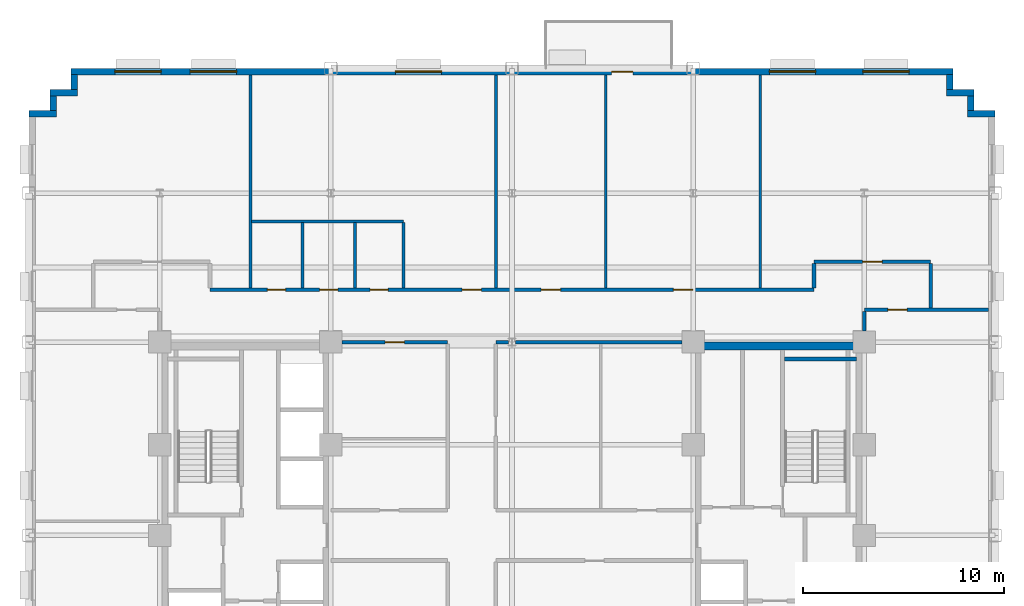
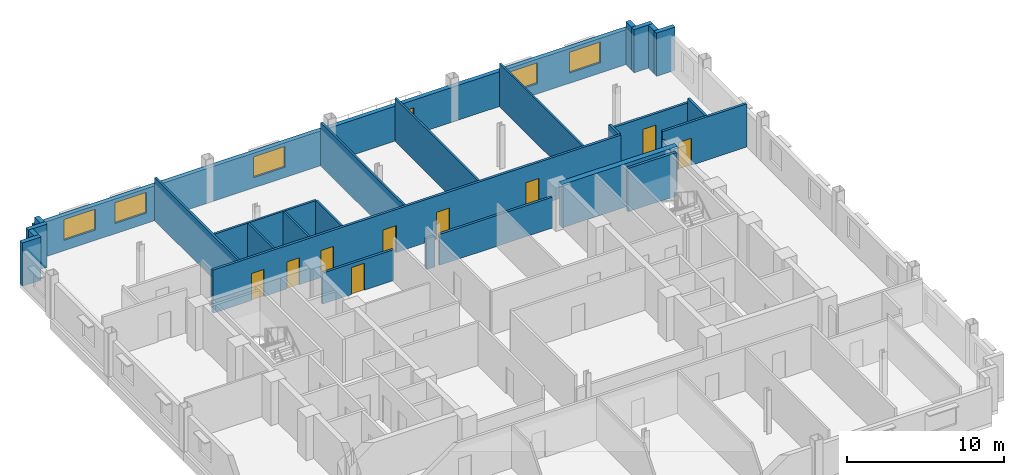
# One storey, part 9 of 14: 28 walls, 10 doors, 5 windows, 15 openings.
"""IFC4 building model written with IfcOpenShell, lengths in metres."""

from ifc_helpers import new_model, si_unit, direction, frame, frame_2d, origin, place, context, subcontext, project, spatial, rectangle, extrude, source, transform, mapped, material, layer, layer_set, type_object, type_shapes, element, fill, save


model = new_model("IFC4")

# Units and contexts
model_context = context("Model", 3, precision=1e-05, world=origin(), true_north=direction((0.0, 1.0)))
body_context = subcontext(model_context, "Body", "Model", "MODEL_VIEW")
ifc_project = project(units=[si_unit("LENGTHUNIT", "METRE"), si_unit("AREAUNIT", "SQUARE_METRE"), si_unit("VOLUMEUNIT", "CUBIC_METRE"), si_unit("PLANEANGLEUNIT", "RADIAN"), si_unit("MASSUNIT", "GRAM", prefix="KILO")], contexts=[model_context])

# Site, building, storey
site_placement = place(None, origin())
site = spatial("IfcSite", under=ifc_project, at=site_placement, CompositionType="ELEMENT")
building_placement = place(site_placement, origin())
building = spatial("IfcBuilding", under=site, at=building_placement, Name="Nuvemarco Arch Tower", CompositionType="ELEMENT")
storey_placement = place(building_placement, frame((0.0, 0.0, 105.60009765625)))
storey = spatial("IfcBuildingStorey", under=building, at=storey_placement, Name="L27", CompositionType="ELEMENT", Elevation=105.60009765625)

# Walls
ifc_material_1 = material(Name="Precast concrete C45/55", Category="concrete")
ifc_layer_1 = layer(ifc_material_1, 0.320068359375, Name="EW-MID-320")
ifc_layer_set_1 = layer_set([ifc_layer_1], Name="Precast concrete C45/55")
wall_type_1 = type_object("IfcWallType", Name="EW-MID-320", PredefinedType="STANDARD", material=ifc_layer_set_1)
wall_1_placement = place(storey_placement, frame((22.6298828125, 20.93994140625, 0.0), z_axis=(0.0, 0.0, 1.0), x_axis=(1.0, 0.0, 0.0)))
element("IfcWall", 1, at=wall_1_placement, inside=storey, type_object=wall_type_1, Name="L27 exterior precast facade wall 7", PredefinedType="STANDARD", context=body_context, shape_type="SweptSolid", body=[
    extrude(rectangle(XDim=1.3701171875, YDim=0.320068359375, at=frame_2d((0.68505859375, 0.0))), origin(), (0.0, 0.0, 1.0), 3.35986328125),
])
wall_2_placement = place(storey_placement, frame((22.7900390625, 21.095947265625, 0.0), z_axis=(0.0, 0.0, 1.0), x_axis=(0.0, 1.0, 0.0)))
element("IfcWall", 2, at=wall_2_placement, inside=storey, type_object=wall_type_1, Name="L27 exterior precast facade wall 8", PredefinedType="STANDARD", context=body_context, shape_type="SweptSolid", body=[
    extrude(rectangle(XDim=0.738037109375, YDim=0.320068359375, at=frame_2d((0.369140625, 0.0))), origin(), (0.0, 0.0, 1.0), 3.35986328125),
])
wall_3_placement = place(storey_placement, frame((21.580078125, 21.989990234375, 0.0), z_axis=(0.0, 0.0, 1.0), x_axis=(1.0, 0.0, 0.0)))
element("IfcWall", 3, at=wall_3_placement, inside=storey, type_object=wall_type_1, Name="L27 exterior precast facade wall 9", PredefinedType="STANDARD", context=body_context, shape_type="SweptSolid", body=[
    extrude(rectangle(XDim=1.369873046875, YDim=0.320068359375, at=frame_2d((0.68505859375, 0.0))), origin(), (0.0, 0.0, 1.0), 3.35986328125),
])
wall_4_placement = place(storey_placement, frame((21.739990234375, 22.14599609375, 0.0), z_axis=(0.0, 0.0, 1.0), x_axis=(0.0, 1.0, 0.0)))
element("IfcWall", 4, at=wall_4_placement, inside=storey, type_object=wall_type_1, Name="L27 exterior precast facade wall 10", PredefinedType="STANDARD", context=body_context, shape_type="SweptSolid", body=[
    extrude(rectangle(XDim=0.738037109375, YDim=0.320068359375, at=frame_2d((0.369140625, 0.0))), origin(), (0.0, 0.0, 1.0), 3.35986328125),
])

# Wall, openings, door, windows
wall_5_placement = place(storey_placement, frame((-21.89990234375, 23.0400390625, 0.0), z_axis=(0.0, 0.0, 1.0), x_axis=(1.0, 0.0, 0.0)))
wall_5 = element("IfcWall", 5, at=wall_5_placement, inside=storey, type_object=wall_type_1, Name="L27 exterior precast facade wall 11", PredefinedType="STANDARD", context=body_context, shape_type="SweptSolid", body=[
    extrude(rectangle(XDim=43.7998046875, YDim=0.320068359375, at=frame_2d((21.89990234375, 0.0))), origin(), (0.0, 0.0, 1.0), 2.704833984375),
])
opening_1_placement = place(wall_5_placement, frame((26.85009765625, 0.0, 0.0)))
opening_1 = element("IfcOpeningElement", 6, at=opening_1_placement, cuts=wall_5, Name="Opening ED-5", PredefinedType="OPENING", context=body_context, shape_type="SweptSolid", body=[
    extrude(rectangle(XDim=1.050048828125, YDim=2.10009765625, at=frame_2d((0.52490234375, 1.050048828125))), frame((0.0, 0.169921875, 0.0), z_axis=(0.0, -1.0, 0.0), x_axis=(1.0, 0.0, 0.0)), (0.0, 0.0, 1.0), 0.340087890625),
])
opening_2_placement = place(wall_5_placement, frame((2.172119140625, 0.0, 0.800048828125)))
opening_2 = element("IfcOpeningElement", 7, at=opening_2_placement, cuts=wall_5, Name="Opening WN-10", PredefinedType="OPENING", context=body_context, shape_type="SweptSolid", body=[
    extrude(rectangle(XDim=2.300048828125, YDim=1.6201171875, at=frame_2d((1.14990234375, 0.81005859375))), frame((0.0, 0.169921875, 0.0), z_axis=(0.0, -1.0, 0.0), x_axis=(1.0, 0.0, 0.0)), (0.0, 0.0, 1.0), 0.340087890625),
])
opening_3_placement = place(wall_5_placement, frame((5.916748046875, 0.0, 0.800048828125)))
opening_3 = element("IfcOpeningElement", 8, at=opening_3_placement, cuts=wall_5, Name="Opening WN-10", PredefinedType="OPENING", context=body_context, shape_type="SweptSolid", body=[
    extrude(rectangle(XDim=2.300048828125, YDim=1.6201171875, at=frame_2d((1.14990234375, 0.81005859375))), frame((0.0, 0.169921875, 0.0), z_axis=(0.0, -1.0, 0.0), x_axis=(1.0, 0.0, 0.0)), (0.0, 0.0, 1.0), 0.340087890625),
])
opening_4_placement = place(wall_5_placement, frame((16.105712890625, 0.0, 0.800048828125)))
opening_4 = element("IfcOpeningElement", 9, at=opening_4_placement, cuts=wall_5, Name="Opening WN-10", PredefinedType="OPENING", context=body_context, shape_type="SweptSolid", body=[
    extrude(rectangle(XDim=2.300048828125, YDim=1.6201171875, at=frame_2d((1.14990234375, 0.81005859375))), frame((0.0, 0.169921875, 0.0), z_axis=(0.0, -1.0, 0.0), x_axis=(1.0, 0.0, 0.0)), (0.0, 0.0, 1.0), 0.340087890625),
])
opening_5_placement = place(wall_5_placement, frame((34.683349609375, 0.0, 0.800048828125)))
opening_5 = element("IfcOpeningElement", 10, at=opening_5_placement, cuts=wall_5, Name="Opening WN-10", PredefinedType="OPENING", context=body_context, shape_type="SweptSolid", body=[
    extrude(rectangle(XDim=2.300048828125, YDim=1.6201171875, at=frame_2d((1.14990234375, 0.81005859375))), frame((0.0, 0.169921875, 0.0), z_axis=(0.0, -1.0, 0.0), x_axis=(1.0, 0.0, 0.0)), (0.0, 0.0, 1.0), 0.340087890625),
])
opening_6_placement = place(wall_5_placement, frame((39.327880859375, 0.0, 0.800048828125)))
opening_6 = element("IfcOpeningElement", 11, at=opening_6_placement, cuts=wall_5, Name="Opening WN-10", PredefinedType="OPENING", context=body_context, shape_type="SweptSolid", body=[
    extrude(rectangle(XDim=2.300048828125, YDim=1.6201171875, at=frame_2d((1.14990234375, 0.81005859375))), frame((0.0, 0.169921875, 0.0), z_axis=(0.0, -1.0, 0.0), x_axis=(1.0, 0.0, 0.0)), (0.0, 0.0, 1.0), 0.340087890625),
])
ifc_material_2 = material(Name="Anodised bronze and laminated glass", Category="glass")
door_type_1 = type_object("IfcDoorType", Name="DR-EXT-TERR", OperationType="NOTDEFINED", PredefinedType="DOOR", material=ifc_material_2)
shared_shape_1 = source(origin(), body_context, "Body", "SweptSolid", [
    extrude(rectangle(XDim=1.050048828125, YDim=2.10009765625, at=frame_2d((0.52490234375, 1.050048828125))), frame((0.0, 0.02490234375, 0.0), z_axis=(0.0, -1.0, 0.0), x_axis=(1.0, 0.0, 0.0)), (0.0, 0.0, 1.0), 0.050048828125),
])
type_shapes(door_type_1, [shared_shape_1])
door_1_placement = place(opening_1_placement, origin())
door_1 = element("IfcDoor", 12, at=door_1_placement, inside=storey, type_object=door_type_1, Name="L27 spiral terrace access door", OperationType="SINGLE_SWING_LEFT", OverallHeight=2.10009765625, OverallWidth=1.050048828125, PredefinedType="DOOR", context=body_context, shape_type="MappedRepresentation", body=[
    mapped(shared_shape_1, transform((0.0, 0.0, 0.0), scale=1.0)),
])
fill(opening_1, door_1)
ifc_material_3 = material(Name="Insulated solar-control glass", Category="glass")
window_type = type_object("IfcWindowType", Name="WN-STEP-2300x1700", PartitioningType="DOUBLE_PANEL_VERTICAL", PredefinedType="WINDOW", material=ifc_material_3)
shared_shape_2 = source(origin(), body_context, "Body", "SweptSolid", [
    extrude(rectangle(XDim=2.300048828125, YDim=1.6201171875, at=frame_2d((1.14990234375, 0.81005859375))), frame((0.0, 0.030029296875, 0.0), z_axis=(0.0, -1.0, 0.0), x_axis=(1.0, 0.0, 0.0)), (0.0, 0.0, 1.0), 0.06005859375),
])
type_shapes(window_type, [shared_shape_2])
window_1_placement = place(opening_2_placement, origin())
window_1 = element("IfcWindow", 13, at=window_1_placement, inside=storey, type_object=window_type, Name="L27 punched facade window 1", OverallHeight=1.6201171875, OverallWidth=2.300048828125, PartitioningType="SINGLE_PANEL", PredefinedType="WINDOW", context=body_context, shape_type="MappedRepresentation", body=[
    mapped(shared_shape_2, transform((0.0, 0.0, 0.0), scale=1.0)),
])
fill(opening_2, window_1)
window_2_placement = place(opening_3_placement, origin())
window_2 = element("IfcWindow", 14, at=window_2_placement, inside=storey, type_object=window_type, Name="L27 punched facade window 2", OverallHeight=1.6201171875, OverallWidth=2.300048828125, PartitioningType="SINGLE_PANEL", PredefinedType="WINDOW", context=body_context, shape_type="MappedRepresentation", body=[
    mapped(shared_shape_2, transform((0.0, 0.0, 0.0), scale=1.0)),
])
fill(opening_3, window_2)
window_3_placement = place(opening_4_placement, origin())
window_3 = element("IfcWindow", 15, at=window_3_placement, inside=storey, type_object=window_type, Name="L27 punched facade window 4", OverallHeight=1.6201171875, OverallWidth=2.300048828125, PartitioningType="SINGLE_PANEL", PredefinedType="WINDOW", context=body_context, shape_type="MappedRepresentation", body=[
    mapped(shared_shape_2, transform((0.0, 0.0, 0.0), scale=1.0)),
])
fill(opening_4, window_3)
window_4_placement = place(opening_5_placement, origin())
window_4 = element("IfcWindow", 16, at=window_4_placement, inside=storey, type_object=window_type, Name="L27 punched facade window 8", OverallHeight=1.6201171875, OverallWidth=2.300048828125, PartitioningType="SINGLE_PANEL", PredefinedType="WINDOW", context=body_context, shape_type="MappedRepresentation", body=[
    mapped(shared_shape_2, transform((0.0, 0.0, 0.0), scale=1.0)),
])
fill(opening_5, window_4)
window_5_placement = place(opening_6_placement, origin())
window_5 = element("IfcWindow", 17, at=window_5_placement, inside=storey, type_object=window_type, Name="L27 punched facade window 9", OverallHeight=1.6201171875, OverallWidth=2.300048828125, PartitioningType="SINGLE_PANEL", PredefinedType="WINDOW", context=body_context, shape_type="MappedRepresentation", body=[
    mapped(shared_shape_2, transform((0.0, 0.0, 0.0), scale=1.0)),
])
fill(opening_6, window_5)

# Walls
wall_6_placement = place(storey_placement, frame((-21.739990234375, 22.14599609375, 0.0), z_axis=(0.0, 0.0, 1.0), x_axis=(0.0, 1.0, 0.0)))
element("IfcWall", 18, at=wall_6_placement, inside=storey, type_object=wall_type_1, Name="L27 exterior precast facade wall 12", PredefinedType="STANDARD", context=body_context, shape_type="SweptSolid", body=[
    extrude(rectangle(XDim=0.738037109375, YDim=0.320068359375, at=frame_2d((0.369140625, 0.0))), origin(), (0.0, 0.0, 1.0), 3.35986328125),
])
wall_7_placement = place(storey_placement, frame((-22.949951171875, 21.989990234375, 0.0), z_axis=(0.0, 0.0, 1.0), x_axis=(1.0, 0.0, 0.0)))
element("IfcWall", 19, at=wall_7_placement, inside=storey, type_object=wall_type_1, Name="L27 exterior precast facade wall 13", PredefinedType="STANDARD", context=body_context, shape_type="SweptSolid", body=[
    extrude(rectangle(XDim=1.369873046875, YDim=0.320068359375, at=frame_2d((0.68505859375, 0.0))), origin(), (0.0, 0.0, 1.0), 3.35986328125),
])
wall_8_placement = place(storey_placement, frame((-22.7900390625, 21.095947265625, 0.0), z_axis=(0.0, 0.0, 1.0), x_axis=(0.0, 1.0, 0.0)))
element("IfcWall", 20, at=wall_8_placement, inside=storey, type_object=wall_type_1, Name="L27 exterior precast facade wall 14", PredefinedType="STANDARD", context=body_context, shape_type="SweptSolid", body=[
    extrude(rectangle(XDim=0.738037109375, YDim=0.320068359375, at=frame_2d((0.369140625, 0.0))), origin(), (0.0, 0.0, 1.0), 3.35986328125),
])
wall_9_placement = place(storey_placement, frame((-24.0, 20.93994140625, 0.0), z_axis=(0.0, 0.0, 1.0), x_axis=(1.0, 0.0, 0.0)))
element("IfcWall", 21, at=wall_9_placement, inside=storey, type_object=wall_type_1, Name="L27 exterior precast facade wall 15", PredefinedType="STANDARD", context=body_context, shape_type="SweptSolid", body=[
    extrude(rectangle(XDim=1.3701171875, YDim=0.320068359375, at=frame_2d((0.68505859375, 0.0))), origin(), (0.0, 0.0, 1.0), 3.35986328125),
])
ifc_material_4 = material(Name="Concrete C60/75", Category="concrete")
ifc_layer_2 = layer(ifc_material_4, 0.39990234375, Name="WL-CORE-400")
ifc_layer_set_2 = layer_set([ifc_layer_2], Name="Concrete C60/75")
wall_type_2 = type_object("IfcWallType", Name="WL-CORE-400", PredefinedType="SHEAR", material=ifc_layer_set_2)
wall_10_placement = place(storey_placement, frame((9.0, 9.39990234375, 0.0), z_axis=(0.0, 0.0, 1.0), x_axis=(1.0, 0.0, 0.0)))
element("IfcWall", 22, at=wall_10_placement, inside=storey, type_object=wall_type_2, Name="L27 E-core shear wall N", PredefinedType="SHEAR", context=body_context, shape_type="SweptSolid", body=[
    extrude(rectangle(XDim=8.5, YDim=0.39990234375, at=frame_2d((4.25, 0.0))), origin(), (0.0, 0.0, 1.0), 3.369873046875),
])

# Wall, opening, door
ifc_material_5 = material(Name="Fire-rated gypsum drywall partition")
ifc_layer_3 = layer(ifc_material_5, 0.179931640625, Name="WL-CORR-180")
ifc_layer_set_3 = layer_set([ifc_layer_3], Name="Fire-rated gypsum drywall partition")
wall_type_3 = type_object("IfcWallType", Name="WL-CORR-180", PredefinedType="PARTITIONING", material=ifc_layer_set_3)
wall_11_placement = place(storey_placement, frame((-8.4541015625, 9.60009765625, 0.0), z_axis=(0.0, 0.0, 1.0), x_axis=(1.0, 0.0, 0.0)))
wall_11 = element("IfcWall", 23, at=wall_11_placement, inside=storey, type_object=wall_type_3, Name="L27 interior wall IW-L27-015", PredefinedType="PARTITIONING", context=body_context, shape_type="SweptSolid", body=[
    extrude(rectangle(XDim=5.254150390625, YDim=0.179931640625, at=frame_2d((2.626953125, 0.0))), origin(), (0.0, 0.0, 1.0), 2.40478515625),
])
opening_7_placement = place(wall_11_placement, frame((2.14697265625, 0.0, 0.0)))
opening_7 = element("IfcOpeningElement", 24, at=opening_7_placement, cuts=wall_11, Name="Opening FD-5", PredefinedType="OPENING", context=body_context, shape_type="SweptSolid", body=[
    extrude(rectangle(XDim=0.9599609375, YDim=2.10009765625, at=frame_2d((0.47998046875, 1.050048828125))), frame((0.0, 0.099853515625, 0.0), z_axis=(0.0, -1.0, 0.0), x_axis=(1.0, 0.0, 0.0)), (0.0, 0.0, 1.0), 0.199951171875),
])
ifc_material_6 = material(Name="Timber fire door", Category="wood")
door_type_2 = type_object("IfcDoorType", Name="DR-CORR-FD", OperationType="NOTDEFINED", PredefinedType="DOOR", material=ifc_material_6)
shared_shape_3 = source(origin(), body_context, "Body", "SweptSolid", [
    extrude(rectangle(XDim=0.9599609375, YDim=2.10009765625, at=frame_2d((0.47998046875, 1.050048828125))), frame((0.0, 0.02490234375, 0.0), z_axis=(0.0, -1.0, 0.0), x_axis=(1.0, 0.0, 0.0)), (0.0, 0.0, 1.0), 0.050048828125),
])
type_shapes(door_type_2, [shared_shape_3])
door_2_placement = place(opening_7_placement, origin())
door_2 = element("IfcDoor", 25, at=door_2_placement, inside=storey, type_object=door_type_2, Name="L27 door DR-L27-C_NW2", OperationType="SINGLE_SWING_RIGHT", OverallHeight=2.10009765625, OverallWidth=0.9599609375, PredefinedType="DOOR", context=body_context, shape_type="MappedRepresentation", body=[
    mapped(shared_shape_3, transform((0.0, 0.0, 0.0), scale=1.0)),
])
fill(opening_7, door_2)

# Walls
wall_12_placement = place(storey_placement, frame((-0.800048828125, 9.60009765625, 0.0), z_axis=(0.0, 0.0, 1.0), x_axis=(1.0, 0.0, 0.0)))
element("IfcWall", 26, at=wall_12_placement, inside=storey, type_object=wall_type_3, Name="L27 interior wall IW-L27-016", PredefinedType="PARTITIONING", context=body_context, shape_type="SweptSolid", body=[
    extrude(rectangle(XDim=0.6240234375, YDim=0.179931640625, at=frame_2d((0.31201171875, 0.0))), origin(), (0.0, 0.0, 1.0), 2.40478515625),
])
wall_13_placement = place(storey_placement, frame((0.176025390625, 9.60009765625, 0.0), z_axis=(0.0, 0.0, 1.0), x_axis=(1.0, 0.0, 0.0)))
element("IfcWall", 27, at=wall_13_placement, inside=storey, type_object=wall_type_3, Name="L27 interior wall IW-L27-017", PredefinedType="PARTITIONING", context=body_context, shape_type="SweptSolid", body=[
    extrude(rectangle(XDim=8.278076171875, YDim=0.179931640625, at=frame_2d((4.13916015625, 0.0))), origin(), (0.0, 0.0, 1.0), 2.40478515625),
])

# Wall, opening, door
wall_14_placement = place(storey_placement, frame((17.5, 11.199951171875, 0.0), z_axis=(0.0, 0.0, 1.0), x_axis=(1.0, 0.0, 0.0)))
wall_14 = element("IfcWall", 28, at=wall_14_placement, inside=storey, type_object=wall_type_3, Name="L27 interior wall IW-L27-019", PredefinedType="PARTITIONING", context=body_context, shape_type="SweptSolid", body=[
    extrude(rectangle(XDim=6.179931640625, YDim=0.179931640625, at=frame_2d((3.08984375, 0.0))), origin(), (0.0, 0.0, 1.0), 3.35986328125),
])
opening_8_placement = place(wall_14_placement, frame((1.169921875, 0.0, 0.0)))
opening_8 = element("IfcOpeningElement", 29, at=opening_8_placement, cuts=wall_14, Name="Opening FD-5", PredefinedType="OPENING", context=body_context, shape_type="SweptSolid", body=[
    extrude(rectangle(XDim=0.9599609375, YDim=2.10009765625, at=frame_2d((0.47998046875, 1.050048828125))), frame((0.0, 0.099853515625, 0.0), z_axis=(0.0, -1.0, 0.0), x_axis=(1.0, 0.0, 0.0)), (0.0, 0.0, 1.0), 0.199951171875),
])
door_3_placement = place(opening_8_placement, origin())
door_3 = element("IfcDoor", 30, at=door_3_placement, inside=storey, type_object=door_type_2, Name="L27 door DR-L27-E_1", OperationType="SINGLE_SWING_LEFT", OverallHeight=2.10009765625, OverallWidth=0.9599609375, PredefinedType="DOOR", context=body_context, shape_type="MappedRepresentation", body=[
    mapped(shared_shape_3, transform((0.0, 0.0, 0.0), scale=1.0)),
])
fill(opening_8, door_3)

# Wall, openings, doors
wall_15_placement = place(storey_placement, frame((-15.0, 12.199951171875, 0.0), z_axis=(0.0, 0.0, 1.0), x_axis=(1.0, 0.0, 0.0)))
wall_15 = element("IfcWall", 31, at=wall_15_placement, inside=storey, type_object=wall_type_3, Name="L27 interior wall IW-L27-020", PredefinedType="PARTITIONING", context=body_context, shape_type="SweptSolid", body=[
    extrude(rectangle(XDim=30.0, YDim=0.179931640625, at=frame_2d((15.0, 0.0))), origin(), (0.0, 0.0, 1.0), 3.35986328125),
])
opening_9_placement = place(wall_15_placement, frame((23.02001953125, 0.0, 0.0)))
opening_9 = element("IfcOpeningElement", 32, at=opening_9_placement, cuts=wall_15, Name="Opening FD-5", PredefinedType="OPENING", context=body_context, shape_type="SweptSolid", body=[
    extrude(rectangle(XDim=0.9599609375, YDim=2.10009765625, at=frame_2d((0.47998046875, 1.050048828125))), frame((0.0, 0.099853515625, 0.0), z_axis=(0.0, -1.0, 0.0), x_axis=(1.0, 0.0, 0.0)), (0.0, 0.0, 1.0), 0.199951171875),
])
opening_10_placement = place(wall_15_placement, frame((16.449951171875, 0.0, 0.0)))
opening_10 = element("IfcOpeningElement", 33, at=opening_10_placement, cuts=wall_15, Name="Opening FD-5", PredefinedType="OPENING", context=body_context, shape_type="SweptSolid", body=[
    extrude(rectangle(XDim=0.9599609375, YDim=2.10009765625, at=frame_2d((0.47998046875, 1.050048828125))), frame((0.0, 0.099853515625, 0.0), z_axis=(0.0, -1.0, 0.0), x_axis=(1.0, 0.0, 0.0)), (0.0, 0.0, 1.0), 0.199951171875),
])
opening_11_placement = place(wall_15_placement, frame((5.449951171875, 0.0, 0.0)))
opening_11 = element("IfcOpeningElement", 34, at=opening_11_placement, cuts=wall_15, Name="Opening ID-3", PredefinedType="OPENING", context=body_context, shape_type="SweptSolid", body=[
    extrude(rectangle(XDim=0.89990234375, YDim=2.10009765625, at=frame_2d((0.449951171875, 1.050048828125))), frame((0.0, 0.099853515625, 0.0), z_axis=(0.0, -1.0, 0.0), x_axis=(1.0, 0.0, 0.0)), (0.0, 0.0, 1.0), 0.199951171875),
])
opening_12_placement = place(wall_15_placement, frame((2.85009765625, 0.0, 0.0)))
opening_12 = element("IfcOpeningElement", 35, at=opening_12_placement, cuts=wall_15, Name="Opening ID-3", PredefinedType="OPENING", context=body_context, shape_type="SweptSolid", body=[
    extrude(rectangle(XDim=0.89990234375, YDim=2.10009765625, at=frame_2d((0.449951171875, 1.050048828125))), frame((0.0, 0.099853515625, 0.0), z_axis=(0.0, -1.0, 0.0), x_axis=(1.0, 0.0, 0.0)), (0.0, 0.0, 1.0), 0.199951171875),
])
opening_13_placement = place(wall_15_placement, frame((12.52001953125, 0.0, 0.0)))
opening_13 = element("IfcOpeningElement", 36, at=opening_13_placement, cuts=wall_15, Name="Opening FD-5", PredefinedType="OPENING", context=body_context, shape_type="SweptSolid", body=[
    extrude(rectangle(XDim=0.9599609375, YDim=2.10009765625, at=frame_2d((0.47998046875, 1.050048828125))), frame((0.0, 0.099853515625, 0.0), z_axis=(0.0, -1.0, 0.0), x_axis=(1.0, 0.0, 0.0)), (0.0, 0.0, 1.0), 0.199951171875),
])
opening_14_placement = place(wall_15_placement, frame((7.949951171875, 0.0, 0.0)))
opening_14 = element("IfcOpeningElement", 37, at=opening_14_placement, cuts=wall_15, Name="Opening ID-3", PredefinedType="OPENING", context=body_context, shape_type="SweptSolid", body=[
    extrude(rectangle(XDim=0.89990234375, YDim=2.10009765625, at=frame_2d((0.449951171875, 1.050048828125))), frame((0.0, 0.099853515625, 0.0), z_axis=(0.0, -1.0, 0.0), x_axis=(1.0, 0.0, 0.0)), (0.0, 0.0, 1.0), 0.199951171875),
])
door_4_placement = place(opening_9_placement, origin())
door_4 = element("IfcDoor", 38, at=door_4_placement, inside=storey, type_object=door_type_2, Name="L27 door DR-L27-N_4", OperationType="SINGLE_SWING_LEFT", OverallHeight=2.10009765625, OverallWidth=0.9599609375, PredefinedType="DOOR", context=body_context, shape_type="MappedRepresentation", body=[
    mapped(shared_shape_3, transform((0.0, 0.0, 0.0), scale=1.0)),
])
fill(opening_9, door_4)
door_5_placement = place(opening_10_placement, origin())
door_5 = element("IfcDoor", 39, at=door_5_placement, inside=storey, type_object=door_type_2, Name="L27 door DR-L27-N_3", OperationType="SINGLE_SWING_LEFT", OverallHeight=2.10009765625, OverallWidth=0.9599609375, PredefinedType="DOOR", context=body_context, shape_type="MappedRepresentation", body=[
    mapped(shared_shape_3, transform((0.0, 0.0, 0.0), scale=1.0)),
])
fill(opening_10, door_5)
door_6_placement = place(opening_13_placement, origin())
door_6 = element("IfcDoor", 40, at=door_6_placement, inside=storey, type_object=door_type_2, Name="L27 door DR-L27-N_2", OperationType="SINGLE_SWING_RIGHT", OverallHeight=2.10009765625, OverallWidth=0.9599609375, PredefinedType="DOOR", context=body_context, shape_type="MappedRepresentation", body=[
    mapped(shared_shape_3, transform((0.0, 0.0, 0.0), scale=1.0)),
])
fill(opening_13, door_6)
ifc_material_7 = material(Name="Veneered oak timber fire door", Category="wood")
door_type_3 = type_object("IfcDoorType", Name="DR-WC-ACC", OperationType="NOTDEFINED", PredefinedType="DOOR", material=ifc_material_7)
shared_shape_4 = source(origin(), body_context, "Body", "SweptSolid", [
    extrude(rectangle(XDim=0.89990234375, YDim=2.10009765625, at=frame_2d((0.449951171875, 1.050048828125))), frame((0.0, 0.02490234375, 0.0), z_axis=(0.0, -1.0, 0.0), x_axis=(1.0, 0.0, 0.0)), (0.0, 0.0, 1.0), 0.050048828125),
])
type_shapes(door_type_3, [shared_shape_4])
door_7_placement = place(opening_11_placement, origin())
door_7 = element("IfcDoor", 41, at=door_7_placement, inside=storey, type_object=door_type_3, Name="L27 door DR-L27-WC_F", OperationType="SINGLE_SWING_RIGHT", OverallHeight=2.10009765625, OverallWidth=0.89990234375, PredefinedType="DOOR", context=body_context, shape_type="MappedRepresentation", body=[
    mapped(shared_shape_4, transform((0.0, 0.0, 0.0), scale=1.0)),
])
fill(opening_11, door_7)
door_8_placement = place(opening_12_placement, origin())
door_8 = element("IfcDoor", 42, at=door_8_placement, inside=storey, type_object=door_type_3, Name="L27 door DR-L27-WC_M", OperationType="SINGLE_SWING_LEFT", OverallHeight=2.10009765625, OverallWidth=0.89990234375, PredefinedType="DOOR", context=body_context, shape_type="MappedRepresentation", body=[
    mapped(shared_shape_4, transform((0.0, 0.0, 0.0), scale=1.0)),
])
fill(opening_12, door_8)
door_9_placement = place(opening_14_placement, origin())
door_9 = element("IfcDoor", 43, at=door_9_placement, inside=storey, type_object=door_type_3, Name="L27 door DR-L27-WC_ACC", OperationType="SINGLE_SWING_LEFT", OverallHeight=2.10009765625, OverallWidth=0.89990234375, PredefinedType="DOOR", context=body_context, shape_type="MappedRepresentation", body=[
    mapped(shared_shape_4, transform((0.0, 0.0, 0.0), scale=1.0)),
])
fill(opening_14, door_9)

# Wall, opening, door
wall_16_placement = place(storey_placement, frame((15.0, 13.60009765625, 0.0), z_axis=(0.0, 0.0, 1.0), x_axis=(1.0, 0.0, 0.0)))
wall_16 = element("IfcWall", 44, at=wall_16_placement, inside=storey, type_object=wall_type_3, Name="L27 interior wall IW-L27-022", PredefinedType="PARTITIONING", context=body_context, shape_type="SweptSolid", body=[
    extrude(rectangle(XDim=5.800048828125, YDim=0.179931640625, at=frame_2d((2.89990234375, 0.0))), origin(), (0.0, 0.0, 1.0), 2.997802734375),
])
opening_15_placement = place(wall_16_placement, frame((2.419921875, 0.0, 0.0)))
opening_15 = element("IfcOpeningElement", 45, at=opening_15_placement, cuts=wall_16, Name="Opening FD-5", PredefinedType="OPENING", context=body_context, shape_type="SweptSolid", body=[
    extrude(rectangle(XDim=0.9599609375, YDim=2.10009765625, at=frame_2d((0.47998046875, 1.050048828125))), frame((0.0, 0.099853515625, 0.0), z_axis=(0.0, -1.0, 0.0), x_axis=(1.0, 0.0, 0.0)), (0.0, 0.0, 1.0), 0.199951171875),
])
door_10_placement = place(opening_15_placement, origin())
door_10 = element("IfcDoor", 46, at=door_10_placement, inside=storey, type_object=door_type_2, Name="L27 door DR-L27-N_5", OperationType="SINGLE_SWING_LEFT", OverallHeight=2.10009765625, OverallWidth=0.9599609375, PredefinedType="DOOR", context=body_context, shape_type="MappedRepresentation", body=[
    mapped(shared_shape_3, transform((0.0, 0.0, 0.0), scale=1.0)),
])
fill(opening_15, door_10)

# Walls
wall_17_placement = place(storey_placement, frame((15.0, 12.285888671875, 0.0), z_axis=(0.0, 0.0, 1.0), x_axis=(0.0, 1.0, 0.0)))
element("IfcWall", 47, at=wall_17_placement, inside=storey, type_object=wall_type_3, Name="L27 interior wall IW-L27-049", PredefinedType="PARTITIONING", context=body_context, shape_type="SweptSolid", body=[
    extrude(rectangle(XDim=1.22802734375, YDim=0.179931640625, at=frame_2d((0.614013671875, 0.0))), origin(), (0.0, 0.0, 1.0), 3.35986328125),
])
wall_18_placement = place(storey_placement, frame((17.5, 10.14599609375, 0.0), z_axis=(0.0, 0.0, 1.0), x_axis=(0.0, 1.0, 0.0)))
element("IfcWall", 48, at=wall_18_placement, inside=storey, type_object=wall_type_3, Name="L27 interior wall IW-L27-051", PredefinedType="PARTITIONING", context=body_context, shape_type="SweptSolid", body=[
    extrude(rectangle(XDim=0.968017578125, YDim=0.179931640625, at=frame_2d((0.48388671875, 0.0))), origin(), (0.0, 0.0, 1.0), 2.73779296875),
])
wall_19_placement = place(storey_placement, frame((20.800048828125, 11.285888671875, 0.0), z_axis=(0.0, 0.0, 1.0), x_axis=(0.0, 1.0, 0.0)))
element("IfcWall", 49, at=wall_19_placement, inside=storey, type_object=wall_type_3, Name="L27 interior wall IW-L27-054", PredefinedType="PARTITIONING", context=body_context, shape_type="SweptSolid", body=[
    extrude(rectangle(XDim=2.22802734375, YDim=0.179931640625, at=frame_2d((1.114013671875, 0.0))), origin(), (0.0, 0.0, 1.0), 3.35986328125),
])
ifc_material_8 = material(Name="Glazed acoustic office partition")
ifc_layer_4 = layer(ifc_material_8, 0.1298828125, Name="WL-EXEC-130")
ifc_layer_set_4 = layer_set([ifc_layer_4], Name="Glazed acoustic office partition")
wall_type_4 = type_object("IfcWallType", Name="WL-EXEC-130", PredefinedType="PARTITIONING", material=ifc_layer_set_4)
wall_20_placement = place(storey_placement, frame((12.340087890625, 12.285888671875, 0.0), z_axis=(0.0, 0.0, 1.0), x_axis=(0.0, 1.0, 0.0)))
element("IfcWall", 50, at=wall_20_placement, inside=storey, type_object=wall_type_4, Name="L27 interior wall IW-L27-047", PredefinedType="PARTITIONING", context=body_context, shape_type="SweptSolid", body=[
    extrude(rectangle(XDim=10.593994140625, YDim=0.1298828125, at=frame_2d((5.296875, 0.0))), origin(), (0.0, 0.0, 1.0), 3.35986328125),
])
ifc_material_9 = material(Name="Gypsum plasterboard partition")
ifc_layer_5 = layer(ifc_material_9, 0.139892578125, Name="WL-ROOM-140")
ifc_layer_set_5 = layer_set([ifc_layer_5], Name="Gypsum plasterboard partition")
wall_type_5 = type_object("IfcWallType", Name="WL-ROOM-140", PredefinedType="PARTITIONING", material=ifc_layer_set_5)
for number, where, z_axis, x_axis, name in (
    (51, (-0.800048828125, 12.285888671875, 0.0), (0.0, 0.0, 1.0), (0.0, 1.0, 0.0), "L27 interior wall IW-L27-042"),
    (52, (4.659912109375, 12.285888671875, 0.0), (0.0, 0.0, 1.0), (0.0, 1.0, 0.0), "L27 interior wall IW-L27-044"),
):
    element("IfcWall", number, at=place(storey_placement, frame(where, z_axis=z_axis, x_axis=x_axis)), inside=storey, type_object=wall_type_5, Name=name, PredefinedType="PARTITIONING", context=body_context, shape_type="SweptSolid", body=[
        extrude(rectangle(XDim=10.593994140625, YDim=0.139892578125, at=frame_2d((5.296875, 0.0))), origin(), (0.0, 0.0, 1.0), 3.35986328125),
    ])
ifc_material_10 = material(Name="Concrete C50/60", Category="concrete")
ifc_layer_6 = layer(ifc_material_10, 0.199951171875, Name="WL-SHAFT-220")
ifc_layer_set_6 = layer_set([ifc_layer_6], Name="Concrete C50/60")
wall_type_6 = type_object("IfcWallType", Name="WL-SHAFT-220", PredefinedType="SHEAR", material=ifc_layer_set_6)
wall_21_placement = place(storey_placement, frame((13.534912109375, 8.75, 0.0), z_axis=(0.0, 0.0, 1.0), x_axis=(1.0, 0.0, 0.0)))
element("IfcWall", 53, at=wall_21_placement, inside=storey, type_object=wall_type_6, Name="L27 structural shaft wall SW-L27-E-ST2N", PredefinedType="SHEAR", context=body_context, shape_type="SweptSolid", body=[
    extrude(rectangle(XDim=3.570068359375, YDim=0.199951171875, at=frame_2d((1.78515625, 0.0))), origin(), (0.0, 0.0, 1.0), 3.369873046875),
])
ifc_material_11 = material(Name="Moisture-resistant gypsum partition")
ifc_layer_7 = layer(ifc_material_11, 0.14990234375, Name="WL-WET-150")
ifc_layer_set_7 = layer_set([ifc_layer_7], Name="Moisture-resistant gypsum partition")
wall_type_7 = type_object("IfcWallType", Name="WL-WET-150", PredefinedType="PARTITIONING", material=ifc_layer_set_7)
wall_22_placement = place(storey_placement, frame((-12.928955078125, 15.60009765625, 0.0), z_axis=(0.0, 0.0, 1.0), x_axis=(1.0, 0.0, 0.0)))
element("IfcWall", 54, at=wall_22_placement, inside=storey, type_object=wall_type_7, Name="L27 interior wall IW-L27-023", PredefinedType="PARTITIONING", context=body_context, shape_type="SweptSolid", body=[
    extrude(rectangle(XDim=7.529052734375, YDim=0.14990234375, at=frame_2d((3.7646484375, 0.0))), origin(), (0.0, 0.0, 1.0), 3.35986328125),
])
wall_23_placement = place(storey_placement, frame((-13.0, 12.285888671875, 0.0), z_axis=(0.0, 0.0, 1.0), x_axis=(0.0, 1.0, 0.0)))
element("IfcWall", 55, at=wall_23_placement, inside=storey, type_object=wall_type_7, Name="L27 interior wall IW-L27-032", PredefinedType="PARTITIONING", context=body_context, shape_type="SweptSolid", body=[
    extrude(rectangle(XDim=10.593994140625, YDim=0.14990234375, at=frame_2d((5.296875, 0.0))), origin(), (0.0, 0.0, 1.0), 3.35986328125),
])
for number, where, z_axis, x_axis, name in (
    (56, (-10.39990234375, 12.285888671875, 0.0), (0.0, 0.0, 1.0), (0.0, 1.0, 0.0), "L27 interior wall IW-L27-033"),
    (57, (-7.800048828125, 12.285888671875, 0.0), (0.0, 0.0, 1.0), (0.0, 1.0, 0.0), "L27 interior wall IW-L27-034"),
    (58, (-5.39990234375, 12.285888671875, 0.0), (0.0, 0.0, 1.0), (0.0, 1.0, 0.0), "L27 interior wall IW-L27-036"),
):
    element("IfcWall", number, at=place(storey_placement, frame(where, z_axis=z_axis, x_axis=x_axis)), inside=storey, type_object=wall_type_7, Name=name, PredefinedType="PARTITIONING", context=body_context, shape_type="SweptSolid", body=[
        extrude(rectangle(XDim=3.2431640625, YDim=0.14990234375, at=frame_2d((1.62158203125, 0.0))), origin(), (0.0, 0.0, 1.0), 3.35986328125),
    ])

save(model, "model.ifc")
